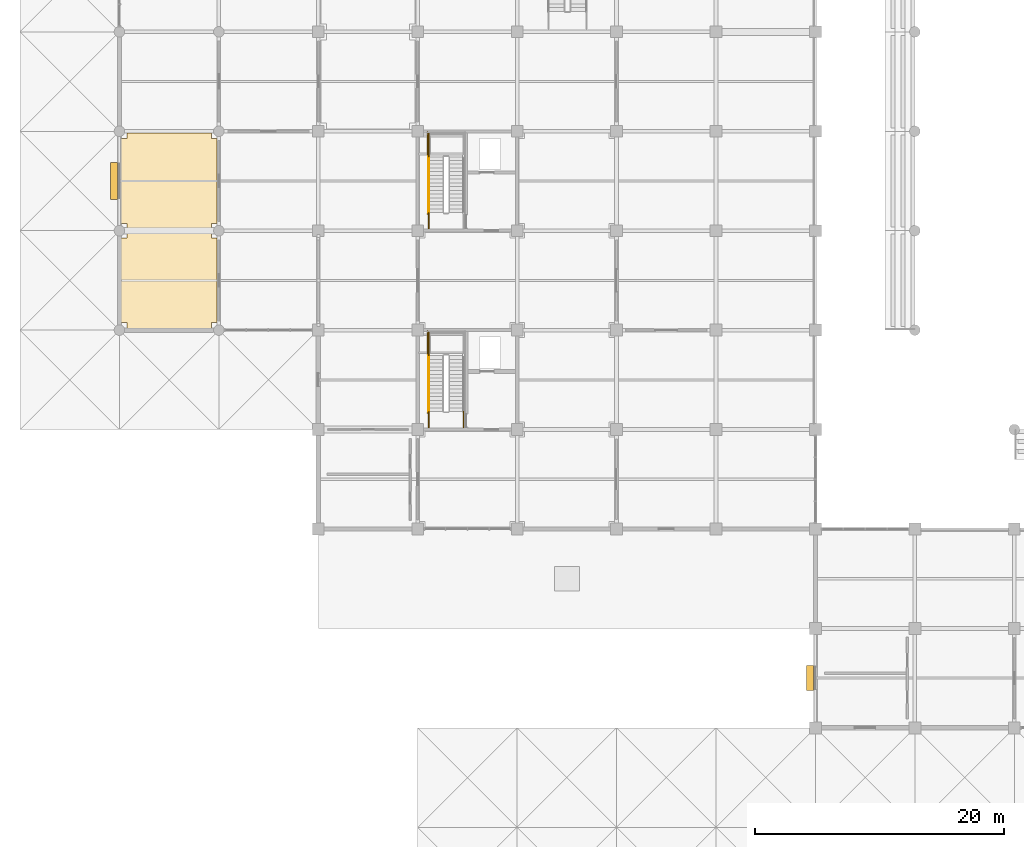
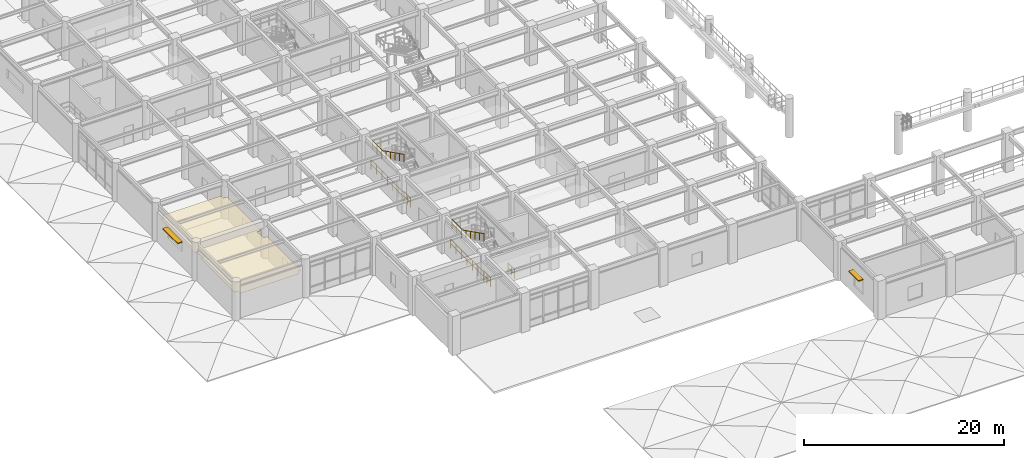
# One storey, part 92 of 109: 9 railings, 2 shading devices, 1 covering.
"""IFC4 building model written with IfcOpenShell, lengths in metres."""

from ifc_helpers import new_model, si_unit, direction, frame, origin, origin_2d, place, context, subcontext, project, spatial, polyline, rectangle, circle, outline, extrude, material, layer, layer_set, type_object, element, save


model = new_model("IFC4")

# Units and contexts
model_context = context("Model", 3, precision=1e-05, world=origin(), true_north=direction((0.0, 1.0)))
body_context = subcontext(model_context, "Body", "Model", "MODEL_VIEW")
ifc_project = project(units=[si_unit("LENGTHUNIT", "METRE"), si_unit("AREAUNIT", "SQUARE_METRE"), si_unit("VOLUMEUNIT", "CUBIC_METRE"), si_unit("PLANEANGLEUNIT", "RADIAN"), si_unit("MASSUNIT", "GRAM", prefix="KILO")], contexts=[model_context])

# Site, building, storey
site_placement = place(None, origin())
site = spatial("IfcSite", under=ifc_project, at=site_placement, CompositionType="ELEMENT")
building_placement = place(site_placement, origin())
building = spatial("IfcBuilding", under=site, at=building_placement, Name="Haebicheon Civic Stadium", CompositionType="ELEMENT")
storey_placement = place(building_placement, frame((0.0, 0.0, 9.60009765625)))
storey = spatial("IfcBuildingStorey", under=building, at=storey_placement, Name="L03", CompositionType="ELEMENT", Elevation=9.60009765625)

# Covering
ifc_material_1 = material(Name="Perforated mineral-fibre acoustic board", Category="gypsum")
ifc_layer_1 = layer(ifc_material_1, 0.0400390625, Name="Perforated mineral-fibre acoustic board")
ifc_layer_set_1 = layer_set([ifc_layer_1], Name="Perforated mineral-fibre acoustic board")
covering_type = type_object("IfcCoveringType", Name="COV-CLG-AC", PredefinedType="CEILING", material=ifc_layer_set_1)
covering_placement = place(storey_placement, frame((0.0, 0.0, 2.809814453125)))
element("IfcCovering", 1, at=covering_placement, inside=storey, type_object=covering_type, material=ifc_layer_set_1, Name="L03 West Boulevard Viewing Gallery acoustic ceiling", PredefinedType="CEILING", context=body_context, shape_type="SweptSolid", body=[
    extrude(outline(polyline([(8.594970703125, 48.14501953125), (8.594970703125, 48.594970703125), (8.14501953125, 48.594970703125), (8.14501953125, 55.405029296875), (8.594970703125, 55.405029296875), (8.594970703125, 56.594970703125), (8.14501953125, 56.594970703125), (8.14501953125, 63.405029296875), (8.594970703125, 63.405029296875), (8.594970703125, 63.85498046875), (15.405029296875, 63.85498046875), (15.405029296875, 63.405029296875), (15.85498046875, 63.405029296875), (15.85498046875, 56.594970703125), (15.405029296875, 56.594970703125), (15.405029296875, 55.405029296875), (15.85498046875, 55.405029296875), (15.85498046875, 48.594970703125), (15.405029296875, 48.594970703125), (15.405029296875, 48.14501953125), (8.594970703125, 48.14501953125)])), origin(), (0.0, 0.0, 1.0), 0.0400390625),
])

# Railings
ifc_material_2 = material(Name="Galvanised painted steel SM355", Category="steel")
railing_type_1 = type_object("IfcRailingType", Name="RL-GRD-1150", PredefinedType="GUARDRAIL", material=ifc_material_2)
railing_1_placement = place(storey_placement, frame((32.889892578125, 45.949951171875, 2.39990234375)))
element("IfcRailing", 2, at=railing_1_placement, inside=storey, type_object=railing_type_1, material=ifc_material_2, Name="L03 ST-01 stair guard 4", PredefinedType="GUARDRAIL", context=body_context, shape_type="SweptSolid", body=[
    extrude(circle(Radius=0.02392578125, at=origin_2d()), frame((0.0, 0.0, 1.1259765625), z_axis=(0.0, 1.0, 0.0), x_axis=(-1.0, 0.0, 0.0)), (0.0, 0.0, 1.0), 1.89013671875),
    extrude(circle(Radius=0.02392578125, at=origin_2d()), frame((0.0, 0.0, 0.574951171875), z_axis=(0.0, 1.0, 0.0), x_axis=(-1.0, 0.0, 0.0)), (0.0, 0.0, 1.0), 1.89013671875),
    extrude(circle(Radius=0.02099609375, at=origin_2d()), origin(), (0.0, 0.0, 1.0), 1.101806640625),
    extrude(circle(Radius=0.02099609375, at=origin_2d()), frame((0.0, 0.945068359375, 0.0)), (0.0, 0.0, 1.0), 1.101806640625),
    extrude(circle(Radius=0.02099609375, at=origin_2d()), frame((0.0, 1.89013671875, 0.0)), (0.0, 0.0, 1.0), 1.101806640625),
])
for number, where, name in (
    (3, (35.68994140625, 40.159912109375, 0.0), "L03 ST-01 stair guard 8"),
    (4, (32.889892578125, 40.159912109375, 0.0), "L03 ST-01 stair guard 9"),
):
    element("IfcRailing", number, at=place(storey_placement, frame(where)), inside=storey, type_object=railing_type_1, material=ifc_material_2, Name=name, PredefinedType="GUARDRAIL", context=body_context, shape_type="SweptSolid", body=[
        extrude(circle(Radius=0.02392578125, at=origin_2d()), frame((0.0, 0.0, 1.1259765625), z_axis=(0.0, 1.0, 0.0), x_axis=(-1.0, 0.0, 0.0)), (0.0, 0.0, 1.0), 1.2900390625),
        extrude(circle(Radius=0.02392578125, at=origin_2d()), frame((0.0, 0.0, 0.574951171875), z_axis=(0.0, 1.0, 0.0), x_axis=(-1.0, 0.0, 0.0)), (0.0, 0.0, 1.0), 1.2900390625),
        extrude(circle(Radius=0.02099609375, at=origin_2d()), origin(), (0.0, 0.0, 1.0), 1.101806640625),
        extrude(circle(Radius=0.02099609375, at=origin_2d()), frame((0.0, 0.64501953125, 0.0)), (0.0, 0.0, 1.0), 1.101806640625),
        extrude(circle(Radius=0.02099609375, at=origin_2d()), frame((0.0, 1.2900390625, 0.0)), (0.0, 0.0, 1.0), 1.101806640625),
    ])
railing_2_placement = place(storey_placement, frame((32.7900390625, 41.35009765625, 0.0)))
element("IfcRailing", 5, at=railing_2_placement, inside=storey, type_object=railing_type_1, material=ifc_material_2, Name="L03 ST-01 stair guard 11", PredefinedType="GUARDRAIL", context=body_context, shape_type="SweptSolid", body=[
    extrude(circle(Radius=0.02392578125, at=origin_2d()), frame((0.0, 0.0, 1.1259765625), z_axis=(0.0, 1.0, 0.0), x_axis=(-1.0, 0.0, 0.0)), (0.0, 0.0, 1.0), 6.58984375),
    extrude(circle(Radius=0.02392578125, at=origin_2d()), frame((0.0, 0.0, 0.574951171875), z_axis=(0.0, 1.0, 0.0), x_axis=(-1.0, 0.0, 0.0)), (0.0, 0.0, 1.0), 6.58984375),
    extrude(circle(Radius=0.02099609375, at=origin_2d()), origin(), (0.0, 0.0, 1.0), 1.101806640625),
    extrude(circle(Radius=0.02099609375, at=origin_2d()), frame((0.0, 1.098388671875, 0.0)), (0.0, 0.0, 1.0), 1.101806640625),
    extrude(circle(Radius=0.02099609375, at=origin_2d()), frame((0.0, 2.196533203125, 0.0)), (0.0, 0.0, 1.0), 1.101806640625),
    extrude(circle(Radius=0.02099609375, at=origin_2d()), frame((0.0, 3.294921875, 0.0)), (0.0, 0.0, 1.0), 1.101806640625),
    extrude(circle(Radius=0.02099609375, at=origin_2d()), frame((0.0, 4.393310546875, 0.0)), (0.0, 0.0, 1.0), 1.101806640625),
    extrude(circle(Radius=0.02099609375, at=origin_2d()), frame((0.0, 5.491455078125, 0.0)), (0.0, 0.0, 1.0), 1.101806640625),
    extrude(circle(Radius=0.02099609375, at=origin_2d()), frame((0.0, 6.58984375, 0.0)), (0.0, 0.0, 1.0), 1.101806640625),
])
railing_3_placement = place(storey_placement, frame((32.889892578125, 61.949951171875, 2.39990234375)))
element("IfcRailing", 6, at=railing_3_placement, inside=storey, type_object=railing_type_1, material=ifc_material_2, Name="L03 ST-02 stair guard 4", PredefinedType="GUARDRAIL", context=body_context, shape_type="SweptSolid", body=[
    extrude(circle(Radius=0.02392578125, at=origin_2d()), frame((0.0, 0.0, 1.1259765625), z_axis=(0.0, 1.0, 0.0), x_axis=(-1.0, 0.0, 0.0)), (0.0, 0.0, 1.0), 1.89013671875),
    extrude(circle(Radius=0.02392578125, at=origin_2d()), frame((0.0, 0.0, 0.574951171875), z_axis=(0.0, 1.0, 0.0), x_axis=(-1.0, 0.0, 0.0)), (0.0, 0.0, 1.0), 1.89013671875),
    extrude(circle(Radius=0.02099609375, at=origin_2d()), origin(), (0.0, 0.0, 1.0), 1.101806640625),
    extrude(circle(Radius=0.02099609375, at=origin_2d()), frame((0.0, 0.945068359375, 0.0)), (0.0, 0.0, 1.0), 1.101806640625),
    extrude(circle(Radius=0.02099609375, at=origin_2d()), frame((0.0, 1.89013671875, 0.0)), (0.0, 0.0, 1.0), 1.101806640625),
])
railing_4_placement = place(storey_placement, frame((32.889892578125, 56.159912109375, 0.0)))
element("IfcRailing", 7, at=railing_4_placement, inside=storey, type_object=railing_type_1, material=ifc_material_2, Name="L03 ST-02 stair guard 9", PredefinedType="GUARDRAIL", context=body_context, shape_type="SweptSolid", body=[
    extrude(circle(Radius=0.02392578125, at=origin_2d()), frame((0.0, 0.0, 1.1259765625), z_axis=(0.0, 1.0, 0.0), x_axis=(-1.0, 0.0, 0.0)), (0.0, 0.0, 1.0), 1.2900390625),
    extrude(circle(Radius=0.02392578125, at=origin_2d()), frame((0.0, 0.0, 0.574951171875), z_axis=(0.0, 1.0, 0.0), x_axis=(-1.0, 0.0, 0.0)), (0.0, 0.0, 1.0), 1.2900390625),
    extrude(circle(Radius=0.02099609375, at=origin_2d()), origin(), (0.0, 0.0, 1.0), 1.101806640625),
    extrude(circle(Radius=0.02099609375, at=origin_2d()), frame((0.0, 0.64501953125, 0.0)), (0.0, 0.0, 1.0), 1.101806640625),
    extrude(circle(Radius=0.02099609375, at=origin_2d()), frame((0.0, 1.2900390625, 0.0)), (0.0, 0.0, 1.0), 1.101806640625),
])
railing_5_placement = place(storey_placement, frame((32.7900390625, 57.35009765625, 0.0)))
element("IfcRailing", 8, at=railing_5_placement, inside=storey, type_object=railing_type_1, material=ifc_material_2, Name="L03 ST-02 stair guard 11", PredefinedType="GUARDRAIL", context=body_context, shape_type="SweptSolid", body=[
    extrude(circle(Radius=0.02392578125, at=origin_2d()), frame((0.0, 0.0, 1.1259765625), z_axis=(0.0, 1.0, 0.0), x_axis=(-1.0, 0.0, 0.0)), (0.0, 0.0, 1.0), 6.58984375),
    extrude(circle(Radius=0.02392578125, at=origin_2d()), frame((0.0, 0.0, 0.574951171875), z_axis=(0.0, 1.0, 0.0), x_axis=(-1.0, 0.0, 0.0)), (0.0, 0.0, 1.0), 6.58984375),
    extrude(circle(Radius=0.02099609375, at=origin_2d()), origin(), (0.0, 0.0, 1.0), 1.101806640625),
    extrude(circle(Radius=0.02099609375, at=origin_2d()), frame((0.0, 1.098388671875, 0.0)), (0.0, 0.0, 1.0), 1.101806640625),
    extrude(circle(Radius=0.02099609375, at=origin_2d()), frame((0.0, 2.196533203125, 0.0)), (0.0, 0.0, 1.0), 1.101806640625),
    extrude(circle(Radius=0.02099609375, at=origin_2d()), frame((0.0, 3.294921875, 0.0)), (0.0, 0.0, 1.0), 1.101806640625),
    extrude(circle(Radius=0.02099609375, at=origin_2d()), frame((0.0, 4.393310546875, 0.0)), (0.0, 0.0, 1.0), 1.101806640625),
    extrude(circle(Radius=0.02099609375, at=origin_2d()), frame((0.0, 5.491455078125, 0.0)), (0.0, 0.0, 1.0), 1.101806640625),
    extrude(circle(Radius=0.02099609375, at=origin_2d()), frame((0.0, 6.58984375, 0.0)), (0.0, 0.0, 1.0), 1.101806640625),
])
ifc_material_3 = material(Name="Stainless steel 316", Category="steel")
railing_type_2 = type_object("IfcRailingType", Name="RL-HND-900", PredefinedType="HANDRAIL", material=ifc_material_3)
for number, where, name in (
    (9, (32.889892578125, 45.949951171875, 2.5498046875), "L03 ST-01 stair handrail 2"),
    (10, (32.889892578125, 61.949951171875, 2.5498046875), "L03 ST-02 stair handrail 2"),
):
    element("IfcRailing", number, at=place(storey_placement, frame(where)), inside=storey, type_object=railing_type_2, material=ifc_material_3, Name=name, PredefinedType="HANDRAIL", context=body_context, shape_type="SweptSolid", body=[
        extrude(circle(Radius=0.02392578125, at=origin_2d()), frame((0.0, 0.0, 0.8759765625), z_axis=(0.0, -0.894427191, 0.4472135955), x_axis=(1.0, 0.0, 0.0)), (0.0, 0.0, 1.0), 5.03125),
        extrude(circle(Radius=0.02099609375, at=origin_2d()), origin(), (0.0, 0.0, 1.0), 0.851806640625),
        extrude(circle(Radius=0.02099609375, at=origin_2d()), frame((0.0, -0.89990234375, 0.449951171875)), (0.0, 0.0, 1.0), 0.851806640625),
        extrude(circle(Radius=0.02099609375, at=origin_2d()), frame((0.0, -1.800048828125, 0.89990234375)), (0.0, 0.0, 1.0), 0.851806640625),
        extrude(circle(Radius=0.02099609375, at=origin_2d()), frame((0.0, -2.699951171875, 1.35009765625)), (0.0, 0.0, 1.0), 0.851806640625),
        extrude(circle(Radius=0.02099609375, at=origin_2d()), frame((0.0, -3.60009765625, 1.800048828125)), (0.0, 0.0, 1.0), 0.851806640625),
        extrude(circle(Radius=0.02099609375, at=origin_2d()), frame((0.0, -4.5, 2.25)), (0.0, 0.0, 1.0), 0.851806640625),
    ])

# Shading devices
ifc_material_4 = material(Name="Anodised aluminium 6063-T6", Category="aluminium")
ifc_layer_2 = layer(ifc_material_4, 0.1201171875, Name="Anodised aluminium 6063-T6")
ifc_layer_set_2 = layer_set([ifc_layer_2], Name="Anodised aluminium 6063-T6")
shading_device_type = type_object("IfcShadingDeviceType", Name="SHD-ALU-LVR", PredefinedType="USERDEFINED", material=ifc_layer_set_2)
shading_device_1_placement = place(storey_placement, frame((7.570068359375, 60.0, 3.019775390625), z_axis=(0.0, 0.0, 1.0), x_axis=(1.0, 0.0, 0.0)))
element("IfcShadingDevice", 11, at=shading_device_1_placement, inside=storey, type_object=shading_device_type, material=ifc_layer_set_2, Name="L03 window sunshade louvre hood 26", ObjectType="LOUVRE", PredefinedType="USERDEFINED", context=body_context, shape_type="SweptSolid", body=[
    extrude(rectangle(XDim=0.550048828125, YDim=3.0, at=origin_2d()), origin(), (0.0, 0.0, 1.0), 0.1201171875),
])
shading_device_2_placement = place(storey_placement, frame((63.570068359375, 20.0, 2.769775390625), z_axis=(0.0, 0.0, 1.0), x_axis=(1.0, 0.0, 0.0)))
element("IfcShadingDevice", 12, at=shading_device_2_placement, inside=storey, type_object=shading_device_type, material=ifc_layer_set_2, Name="L03 window sunshade louvre hood 27", ObjectType="LOUVRE", PredefinedType="USERDEFINED", context=body_context, shape_type="SweptSolid", body=[
    extrude(rectangle(XDim=0.550048828125, YDim=2.0, at=origin_2d()), origin(), (0.0, 0.0, 1.0), 0.1201171875),
])

save(model, "model.ifc")
